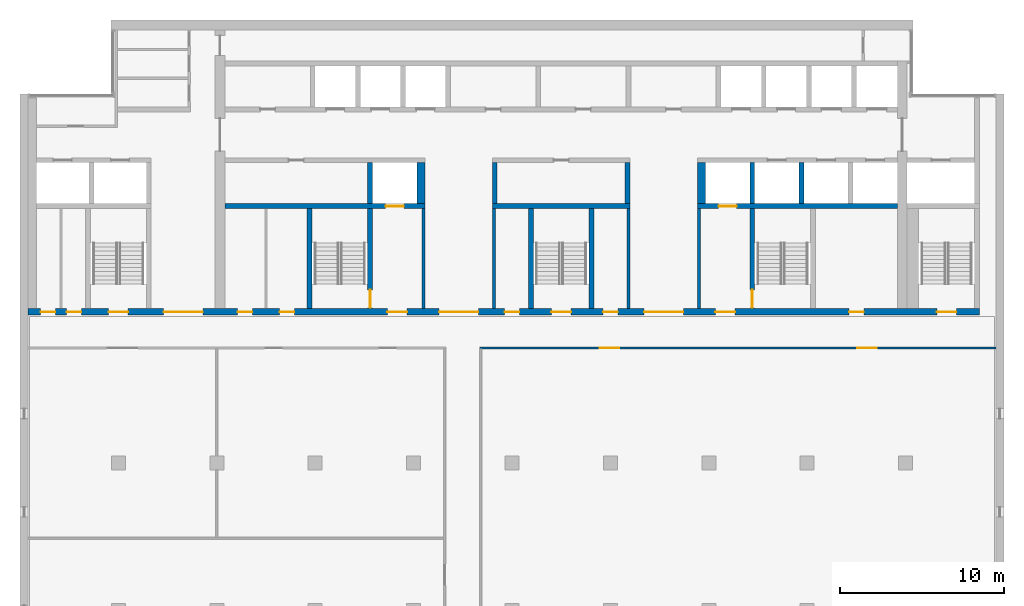
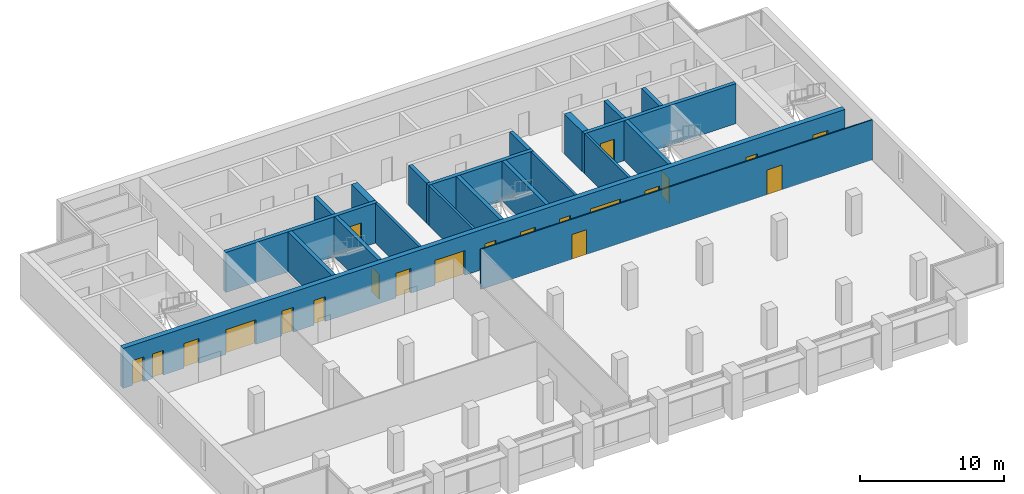
# One storey, part 8 of 14: 21 doors, 21 walls, 21 openings.
"""IFC4 building model written with IfcOpenShell, lengths in metres."""

import ifcopenshell
import ifcopenshell.guid

model = None  # the IFC model being written
_history = None  # IfcOwnerHistory: only IFC2X3 demands one
_inside = {}  # id of a spatial element -> (the spatial element, [elements in it])
_under = {}  # id of a project, library or spatial element -> (it, [spatial elements below it])
_declared = {}  # id of a project -> (the project, [libraries it declares])
_typed = {}  # id of a type object -> (the type object, [elements of that type])
_made_of = {}  # id of a material, layer set ... -> (it, [elements and type objects made of it])


def new_model(schema):
    """Start an empty IFC model of exactly this schema.

    Asked for "IFC4X3", IfcOpenShell would pick the latest addendum, in which some entities
    have other attributes; the version numbers below select the first issue.
    IFC2X3 requires an IfcOwnerHistory on every rooted entity: one is made here for all.
    """
    global model, _history
    if schema == "IFC4X3":
        model = ifcopenshell.file(schema_version=(4, 3, 0, 0))
    else:
        model = ifcopenshell.file(schema=schema)
    _inside.clear()
    _under.clear()
    _declared.clear()
    _typed.clear()
    _made_of.clear()
    _history = None
    if model.schema == "IFC2X3":
        org = make("IfcOrganization", Name="unknown")
        user = make(
            "IfcPersonAndOrganization",
            ThePerson=make("IfcPerson", FamilyName="unknown"),
            TheOrganization=org,
        )
        app = make(
            "IfcApplication",
            ApplicationDeveloper=org,
            Version="unknown",
            ApplicationFullName="unknown",
            ApplicationIdentifier="unknown",
        )
        _history = make(
            "IfcOwnerHistory",
            OwningUser=user,
            OwningApplication=app,
            ChangeAction="ADDED",
            CreationDate=0,
        )
    return model


def make(cls, **values):
    """One entity of the class cls with the attributes given. An attribute that is None is left unset."""
    return model.create_entity(
        cls, **{name: value for name, value in values.items() if value is not None}
    )


def rooted(cls, **values):
    """An entity with a GlobalId (a new one), such as an element, a storey or a relation."""
    return make(cls, GlobalId=ifcopenshell.guid.new(), OwnerHistory=_history, **values)


def si_unit(unit_type, name, prefix=None):
    """IfcSIUnit, for example si_unit("LENGTHUNIT", "METRE", prefix="MILLI")."""
    return make("IfcSIUnit", UnitType=unit_type, Prefix=prefix, Name=name)


def assignment(units):
    """IfcUnitAssignment: the units of a project."""
    return None if units is None else make("IfcUnitAssignment", Units=units)


def point(xyz):
    """IfcCartesianPoint."""
    return None if xyz is None else make("IfcCartesianPoint", Coordinates=xyz)


def direction(xyz):
    """IfcDirection."""
    return None if xyz is None else make("IfcDirection", DirectionRatios=xyz)


def frame(location, z_axis=None, x_axis=None):
    """IfcAxis2Placement3D, a coordinate frame: its origin and axes. An axis left out is left unset."""
    return make(
        "IfcAxis2Placement3D",
        Location=point(location),
        Axis=direction(z_axis),
        RefDirection=direction(x_axis),
    )


def frame_2d(location, x_axis=None):
    """IfcAxis2Placement2D, a coordinate frame in the plane: its origin and x axis."""
    return make(
        "IfcAxis2Placement2D", Location=point(location), RefDirection=direction(x_axis)
    )


def origin():
    """The frame at (0, 0, 0) with its axes left unset."""
    return frame((0.0, 0.0, 0.0))


def place(relative_to, where):
    """IfcLocalPlacement: puts the frame where relative to a parent placement (None: the world)."""
    return make(
        "IfcLocalPlacement", PlacementRelTo=relative_to, RelativePlacement=where
    )


def context(
    kind, dimensions, precision=None, world=None, true_north=None, identifier=None
):
    """IfcGeometricRepresentationContext, for example the 3D "Model" context."""
    return make(
        "IfcGeometricRepresentationContext",
        ContextIdentifier=identifier,
        ContextType=kind,
        CoordinateSpaceDimension=dimensions,
        Precision=precision,
        WorldCoordinateSystem=world,
        TrueNorth=true_north,
    )


def subcontext(parent, identifier, kind, view, scale=None):
    """IfcGeometricRepresentationSubContext, for example "Body" below "Model"."""
    return make(
        "IfcGeometricRepresentationSubContext",
        ContextIdentifier=identifier,
        ContextType=kind,
        ParentContext=parent,
        TargetScale=scale,
        TargetView=view,
    )


def project(units=None, contexts=None):
    """IfcProject with its units and contexts."""
    return rooted(
        "IfcProject",
        Name="project",
        RepresentationContexts=contexts,
        UnitsInContext=assignment(units),
    )


def spatial(cls, under=None, at=None, **own):
    """A site, building, storey or space (cls), placed at a placement, below another one or the project."""
    s = rooted(cls, ObjectPlacement=at, **own)
    if under is not None:
        _under.setdefault(under.id(), (under, []))[1].append(s)
    return s


def profile(cls, at=None, kind="AREA", **sizes):
    """A parametric profile (cls). Its sizes go by their IFC names, for example OverallWidth=200.0."""
    return make(cls, ProfileType=kind, Position=at, **sizes)


def rectangle(**sizes):
    """IfcRectangleProfileDef."""
    return profile("IfcRectangleProfileDef", **sizes)


def extrude(swept, where, along, depth):
    """IfcExtrudedAreaSolid: the profile swept, set in the frame where, extruded along a direction by depth."""
    return make(
        "IfcExtrudedAreaSolid",
        SweptArea=swept,
        Position=where,
        ExtrudedDirection=direction(along),
        Depth=depth,
    )


def shape(context_of_items, identifier, shape_type, items):
    """IfcShapeRepresentation: the items that make up one representation, for example the "Body"."""
    return make(
        "IfcShapeRepresentation",
        ContextOfItems=context_of_items,
        RepresentationIdentifier=identifier,
        RepresentationType=shape_type,
        Items=items,
    )


def material(Name=None, Category=None):
    """IfcMaterial."""
    return make("IfcMaterial", Name=Name, Category=Category)


def layer(
    of_material, thickness, ventilated=None, Name=None, Category=None, Priority=None
):
    """IfcMaterialLayer: one layer of a wall or slab, of a material (None: an air gap)."""
    return make(
        "IfcMaterialLayer",
        Material=of_material,
        LayerThickness=thickness,
        IsVentilated=ventilated,
        Name=Name,
        Category=Category,
        Priority=Priority,
    )


def layer_set(layers, Name=None):
    """IfcMaterialLayerSet."""
    return make("IfcMaterialLayerSet", MaterialLayers=layers, LayerSetName=Name)


def made_of(thing, what):
    """Note that an element or type object is made of a material, layer set ...; save() writes the relation."""
    if what is not None:
        _made_of.setdefault(what.id(), (what, []))[1].append(thing)
    return thing


def type_object(cls, material=None, **own):
    """A type object (cls), such as IfcWallType, which elements share."""
    return made_of(rooted(cls, **own), material)


def element(
    cls,
    number,
    at=None,
    inside=None,
    cuts=None,
    type_object=None,
    material=None,
    context=None,
    identifier="Body",
    shape_type=None,
    held_by="IfcProductDefinitionShape",
    body=None,
    shapes=None,
    **own,
):
    """One element of the class cls, such as IfcWall. Its Tag is "e" and its number.

    at: its placement. inside: the storey or other place that contains it. cuts: it is an
    opening in that element (IfcRelVoidsElement). A single representation is given by context,
    identifier, shape_type and body (its items); several are given by shapes. held_by: the class
    of the entity that holds the representations. save() writes the other relations.
    """
    e = rooted(cls, Tag="e%d" % number, ObjectPlacement=at, **own)
    if body is not None:
        shapes = [shape(context, identifier, shape_type, body)]
    if shapes is not None:
        e.Representation = make(held_by, Representations=shapes)
    if inside is not None:
        _inside.setdefault(inside.id(), (inside, []))[1].append(e)
    if cuts is not None:
        rooted(
            "IfcRelVoidsElement", RelatingBuildingElement=cuts, RelatedOpeningElement=e
        )
    if type_object is not None:
        _typed.setdefault(type_object.id(), (type_object, []))[1].append(e)
    return made_of(e, material)


def fill(opening, filler):
    """IfcRelFillsElement: the door or window that sits in an opening."""
    return rooted(
        "IfcRelFillsElement",
        RelatingOpeningElement=opening,
        RelatedBuildingElement=filler,
    )


def aggregate(whole, parts):
    """IfcRelAggregates: a whole, such as a stair, and the parts it consists of."""
    return rooted("IfcRelAggregates", RelatingObject=whole, RelatedObjects=parts)


def save(model, path):
    """Write the relations noted so far, then the file.

    IfcRelAggregates (storeys below a building ...), IfcRelContainedInSpatialStructure (elements
    in a storey), IfcRelDefinesByType, IfcRelAssociatesMaterial and IfcRelDeclares: one each for
    every whole, place, type object, material and project.
    """
    for whole, parts in _under.values():
        aggregate(whole, parts)
    for where, things in _inside.values():
        rooted(
            "IfcRelContainedInSpatialStructure",
            RelatedElements=things,
            RelatingStructure=where,
        )
    for kind, things in _typed.values():
        rooted("IfcRelDefinesByType", RelatedObjects=things, RelatingType=kind)
    for what, things in _made_of.values():
        rooted("IfcRelAssociatesMaterial", RelatedObjects=things, RelatingMaterial=what)
    for by, libraries in _declared.values():
        rooted("IfcRelDeclares", RelatingContext=by, RelatedDefinitions=libraries)
    model.write(path)


model = new_model("IFC4")

# Units and contexts
model_context = context("Model", 3, precision=1e-05, world=origin(), true_north=direction((0.0, 1.0)))
body_context = subcontext(model_context, "Body", "Model", "MODEL_VIEW")
ifc_project = project(units=[si_unit("LENGTHUNIT", "METRE"), si_unit("AREAUNIT", "SQUARE_METRE"), si_unit("VOLUMEUNIT", "CUBIC_METRE"), si_unit("PLANEANGLEUNIT", "RADIAN"), si_unit("MASSUNIT", "GRAM", prefix="KILO")], contexts=[model_context])

# Site, building, storey
site_placement = place(None, origin())
site = spatial("IfcSite", under=ifc_project, at=site_placement, CompositionType="ELEMENT")
building_placement = place(site_placement, origin())
building = spatial("IfcBuilding", under=site, at=building_placement, Name="Calvaro Tower", CompositionType="ELEMENT")
storey_placement = place(building_placement, frame((0.0, 0.0, 250.75)))
storey = spatial("IfcBuildingStorey", under=building, at=storey_placement, Name="L63", CompositionType="ELEMENT", Elevation=250.75)

# Walls
ifc_material_1 = material(Name="Blockwork partition", Category="masonry")
ifc_layer_1 = layer(ifc_material_1, 0.199951171875)
ifc_layer_set_1 = layer_set([ifc_layer_1], Name="Blockwork partition")
wall_type_1 = type_object("IfcWallType", Name="Core partition 200 REI 120", PredefinedType="PARTITIONING", material=ifc_layer_set_1)
for number, where, z_axis, x_axis, name in (
    (1, (30.60009765625, 28.39990234375, 0.0), (0.0, 0.0, 1.0), (0.0, 1.0, 0.0), "Core partition"),
    (2, (34.89990234375, 28.39990234375, 0.0), (0.0, 0.0, 1.0), (0.0, 1.0, 0.0), "Core partition"),
    (3, (43.10009765625, 28.39990234375, 0.0), (0.0, 0.0, 1.0), (0.0, 1.0, 0.0), "Core partition"),
    (4, (47.39990234375, 28.39990234375, 0.0), (0.0, 0.0, 1.0), (0.0, 1.0, 0.0), "Core partition"),
):
    element("IfcWall", number, at=place(storey_placement, frame(where, z_axis=z_axis, x_axis=x_axis)), inside=storey, type_object=wall_type_1, Name=name, PredefinedType="PARTITIONING", context=body_context, shape_type="SweptSolid", body=[
        extrude(rectangle(XDim=6.10009765625, YDim=0.199951171875, at=frame_2d((3.050048828125, 0.0))), origin(), (0.0, 0.0, 1.0), 3.39990234375),
    ])
ifc_material_2 = material(Name="Concrete C40/50", Category="concrete")
ifc_layer_2 = layer(ifc_material_2, 0.300048828125)
ifc_layer_set_2 = layer_set([ifc_layer_2], Name="Concrete C40/50")
wall_type_2 = type_object("IfcWallType", Name="Core wall C40/50 300", PredefinedType="SHEAR", material=ifc_layer_set_2)
wall_1_placement = place(storey_placement, frame((23.64990234375, 28.39990234375, 0.0), z_axis=(0.0, 0.0, 1.0), x_axis=(0.0, 1.0, 0.0)))
element("IfcWall", 5, at=wall_1_placement, inside=storey, type_object=wall_type_2, Name="Core wall, stair enclosure", PredefinedType="SHEAR", context=body_context, shape_type="SweptSolid", body=[
    extrude(rectangle(XDim=6.10009765625, YDim=0.300048828125, at=frame_2d((3.050048828125, 0.0))), origin(), (0.0, 0.0, 1.0), 3.39990234375),
])

# Wall, opening, door
wall_2_placement = place(storey_placement, frame((27.35009765625, 28.39990234375, 0.0), z_axis=(0.0, 0.0, 1.0), x_axis=(0.0, 1.0, 0.0)))
wall_2 = element("IfcWall", 6, at=wall_2_placement, inside=storey, type_object=wall_type_2, Name="Core wall, stair enclosure", PredefinedType="SHEAR", context=body_context, shape_type="SweptSolid", body=[
    extrude(rectangle(XDim=6.10009765625, YDim=0.300048828125, at=frame_2d((3.050048828125, 0.0))), origin(), (0.0, 0.0, 1.0), 3.39990234375),
])
opening_1_placement = place(wall_2_placement, frame((0.050048828125, 0.0, 0.0)))
opening_1 = element("IfcOpeningElement", 7, at=opening_1_placement, cuts=wall_2, Name="Opening FD11D", PredefinedType="OPENING", context=body_context, shape_type="SweptSolid", body=[
    extrude(rectangle(XDim=1.10009765625, YDim=2.10009765625, at=frame_2d((0.550048828125, 1.050048828125))), frame((0.0, 0.159912109375, 0.0), z_axis=(0.0, -1.0, 0.0), x_axis=(1.0, 0.0, 0.0)), (0.0, 0.0, 1.0), 0.320068359375),
])
ifc_material_3 = material(Name="Steel door set", Category="steel")
door_type_1 = type_object("IfcDoorType", Name="Fire door 1100 FD30S", OperationType="SINGLE_SWING_LEFT", PredefinedType="DOOR", material=ifc_material_3)
door_1_placement = place(opening_1_placement, origin())
door_1 = element("IfcDoor", 8, at=door_1_placement, inside=storey, type_object=door_type_1, Name="Fire door", OperationType="SINGLE_SWING_LEFT", OverallHeight=2.10009765625, OverallWidth=1.10009765625, PredefinedType="DOOR", context=body_context, shape_type="SweptSolid", body=[
    extrude(rectangle(XDim=1.10009765625, YDim=2.10009765625, at=frame_2d((0.550048828125, 1.050048828125))), frame((0.0, 0.02490234375, 0.0), z_axis=(0.0, -1.0, 0.0), x_axis=(1.0, 0.0, 0.0)), (0.0, 0.0, 1.0), 0.050048828125),
])
fill(opening_1, door_1)

# Walls
for number, where, z_axis, x_axis, name in (
    (9, (37.14990234375, 28.39990234375, 0.0), (0.0, 0.0, 1.0), (0.0, 1.0, 0.0), "Core wall, stair enclosure"),
    (10, (40.85009765625, 28.39990234375, 0.0), (0.0, 0.0, 1.0), (0.0, 1.0, 0.0), "Core wall, stair enclosure"),
):
    element("IfcWall", number, at=place(storey_placement, frame(where, z_axis=z_axis, x_axis=x_axis)), inside=storey, type_object=wall_type_2, Name=name, PredefinedType="SHEAR", context=body_context, shape_type="SweptSolid", body=[
        extrude(rectangle(XDim=6.10009765625, YDim=0.300048828125, at=frame_2d((3.050048828125, 0.0))), origin(), (0.0, 0.0, 1.0), 3.39990234375),
    ])

# Wall, opening, door
wall_3_placement = place(storey_placement, frame((50.64990234375, 34.5, 0.0), z_axis=(0.0, 0.0, 1.0), x_axis=(0.0, -1.0, 0.0)))
wall_3 = element("IfcWall", 11, at=wall_3_placement, inside=storey, type_object=wall_type_2, Name="Core wall, stair enclosure", PredefinedType="SHEAR", context=body_context, shape_type="SweptSolid", body=[
    extrude(rectangle(XDim=6.10009765625, YDim=0.300048828125, at=frame_2d((3.050048828125, 0.0))), origin(), (0.0, 0.0, 1.0), 3.39990234375),
])
opening_2_placement = place(wall_3_placement, frame((4.949951171875, 0.0, 0.0)))
opening_2 = element("IfcOpeningElement", 12, at=opening_2_placement, cuts=wall_3, Name="Opening FD11D", PredefinedType="OPENING", context=body_context, shape_type="SweptSolid", body=[
    extrude(rectangle(XDim=1.10009765625, YDim=2.10009765625, at=frame_2d((0.550048828125, 1.050048828125))), frame((0.0, 0.159912109375, 0.0), z_axis=(0.0, -1.0, 0.0), x_axis=(1.0, 0.0, 0.0)), (0.0, 0.0, 1.0), 0.320068359375),
])
door_2_placement = place(opening_2_placement, origin())
door_2 = element("IfcDoor", 13, at=door_2_placement, inside=storey, type_object=door_type_1, Name="Fire door", OperationType="SINGLE_SWING_RIGHT", OverallHeight=2.10009765625, OverallWidth=1.10009765625, PredefinedType="DOOR", context=body_context, shape_type="SweptSolid", body=[
    extrude(rectangle(XDim=1.10009765625, YDim=2.10009765625, at=frame_2d((0.550048828125, 1.050048828125))), frame((0.0, 0.02490234375, 0.0), z_axis=(0.0, -1.0, 0.0), x_axis=(1.0, 0.0, 0.0)), (0.0, 0.0, 1.0), 0.050048828125),
])
fill(opening_2, door_2)

wall_4_placement = place(storey_placement, frame((18.5, 34.64990234375, 0.0), z_axis=(0.0, 0.0, 1.0), x_axis=(1.0, 0.0, 0.0)))
wall_4 = element("IfcWall", 14, at=wall_4_placement, inside=storey, type_object=wall_type_2, Name="Core wall, lift shaft", PredefinedType="SHEAR", context=body_context, shape_type="SweptSolid", body=[
    extrude(rectangle(XDim=12.199951171875, YDim=0.300048828125, at=frame_2d((6.10009765625, 0.0))), origin(), (0.0, 0.0, 1.0), 3.39990234375),
])
opening_3_placement = place(wall_4_placement, frame((9.800048828125, 0.0, 0.0)))
opening_3 = element("IfcOpeningElement", 15, at=opening_3_placement, cuts=wall_4, Name="Opening FF1", PredefinedType="OPENING", context=body_context, shape_type="SweptSolid", body=[
    extrude(rectangle(XDim=1.10009765625, YDim=2.10009765625, at=frame_2d((0.550048828125, 1.050048828125))), frame((0.0, 0.159912109375, 0.0), z_axis=(0.0, -1.0, 0.0), x_axis=(1.0, 0.0, 0.0)), (0.0, 0.0, 1.0), 0.320068359375),
])
ifc_material_4 = material(Name="Stainless steel", Category="steel")
door_type_2 = type_object("IfcDoorType", Name="Landing door 1100 E 60", OperationType="SLIDING_TO_LEFT", PredefinedType="DOOR", material=ifc_material_4)
door_3_placement = place(opening_3_placement, origin())
door_3 = element("IfcDoor", 16, at=door_3_placement, inside=storey, type_object=door_type_2, Name="Landing door FF1", OperationType="SLIDING_TO_LEFT", OverallHeight=2.10009765625, OverallWidth=1.10009765625, PredefinedType="DOOR", context=body_context, shape_type="SweptSolid", body=[
    extrude(rectangle(XDim=1.10009765625, YDim=2.10009765625, at=frame_2d((0.550048828125, 1.050048828125))), frame((0.0, 0.02490234375, 0.0), z_axis=(0.0, -1.0, 0.0), x_axis=(1.0, 0.0, 0.0)), (0.0, 0.0, 1.0), 0.050048828125),
])
fill(opening_3, door_3)

# Wall
wall_5_placement = place(storey_placement, frame((34.800048828125, 34.64990234375, 0.0), z_axis=(0.0, 0.0, 1.0), x_axis=(1.0, 0.0, 0.0)))
element("IfcWall", 17, at=wall_5_placement, inside=storey, type_object=wall_type_2, Name="Core wall, lift shaft", PredefinedType="SHEAR", context=body_context, shape_type="SweptSolid", body=[
    extrude(rectangle(XDim=8.39990234375, YDim=0.300048828125, at=frame_2d((4.199951171875, 0.0))), origin(), (0.0, 0.0, 1.0), 3.39990234375),
])

# Wall, opening, door
wall_6_placement = place(storey_placement, frame((47.300048828125, 34.64990234375, 0.0), z_axis=(0.0, 0.0, 1.0), x_axis=(1.0, 0.0, 0.0)))
wall_6 = element("IfcWall", 18, at=wall_6_placement, inside=storey, type_object=wall_type_2, Name="Core wall, lift shaft", PredefinedType="SHEAR", context=body_context, shape_type="SweptSolid", body=[
    extrude(rectangle(XDim=12.199951171875, YDim=0.300048828125, at=frame_2d((6.10009765625, 0.0))), origin(), (0.0, 0.0, 1.0), 3.39990234375),
])
opening_4_placement = place(wall_6_placement, frame((1.300048828125, 0.0, 0.0)))
opening_4 = element("IfcOpeningElement", 19, at=opening_4_placement, cuts=wall_6, Name="Opening FF2", PredefinedType="OPENING", context=body_context, shape_type="SweptSolid", body=[
    extrude(rectangle(XDim=1.10009765625, YDim=2.10009765625, at=frame_2d((0.550048828125, 1.050048828125))), frame((0.0, 0.159912109375, 0.0), z_axis=(0.0, -1.0, 0.0), x_axis=(1.0, 0.0, 0.0)), (0.0, 0.0, 1.0), 0.320068359375),
])
door_4_placement = place(opening_4_placement, origin())
door_4 = element("IfcDoor", 20, at=door_4_placement, inside=storey, type_object=door_type_2, Name="Landing door FF2", OperationType="SLIDING_TO_LEFT", OverallHeight=2.10009765625, OverallWidth=1.10009765625, PredefinedType="DOOR", context=body_context, shape_type="SweptSolid", body=[
    extrude(rectangle(XDim=1.10009765625, YDim=2.10009765625, at=frame_2d((0.550048828125, 1.050048828125))), frame((0.0, 0.02490234375, 0.0), z_axis=(0.0, -1.0, 0.0), x_axis=(1.0, 0.0, 0.0)), (0.0, 0.0, 1.0), 0.050048828125),
])
fill(opening_4, door_4)

# Walls
for number, where, z_axis, x_axis, name in (
    (21, (27.35009765625, 34.800048828125, 0.0), (0.0, 0.0, 1.0), (0.0, 1.0, 0.0), "Core wall, lift shaft"),
    (22, (34.949951171875, 34.800048828125, 0.0), (0.0, 0.0, 1.0), (0.0, 1.0, 0.0), "Core wall, lift shaft"),
    (23, (43.050048828125, 34.800048828125, 0.0), (0.0, 0.0, 1.0), (0.0, 1.0, 0.0), "Core wall, lift shaft"),
    (24, (50.64990234375, 34.800048828125, 0.0), (0.0, 0.0, 1.0), (0.0, 1.0, 0.0), "Core wall, lift shaft"),
    (25, (53.64990234375, 34.800048828125, 0.0), (0.0, 0.0, 1.0), (0.0, 1.0, 0.0), "Core wall, lift shaft"),
):
    element("IfcWall", number, at=place(storey_placement, frame(where, z_axis=z_axis, x_axis=x_axis)), inside=storey, type_object=wall_type_2, Name=name, PredefinedType="SHEAR", context=body_context, shape_type="SweptSolid", body=[
        extrude(rectangle(XDim=2.5, YDim=0.300048828125, at=frame_2d((1.25, 0.0))), origin(), (0.0, 0.0, 1.0), 3.39990234375),
    ])

# Wall, openings, doors
ifc_material_5 = material(Name="Concrete C40/50", Category="concrete")
ifc_layer_3 = layer(ifc_material_5, 0.39990234375)
ifc_layer_set_3 = layer_set([ifc_layer_3], Name="Concrete C40/50")
wall_type_3 = type_object("IfcWallType", Name="Core wall C40/50 400", PredefinedType="SHEAR", material=ifc_layer_set_3)
wall_7_placement = place(storey_placement, frame((6.5, 28.199951171875, 0.0), z_axis=(0.0, 0.0, 1.0), x_axis=(1.0, 0.0, 0.0)))
wall_7 = element("IfcWall", 26, at=wall_7_placement, inside=storey, type_object=wall_type_3, Name="Core wall, front", PredefinedType="SHEAR", context=body_context, shape_type="SweptSolid", body=[
    extrude(rectangle(XDim=58.0, YDim=0.39990234375, at=frame_2d((29.0, 0.0))), origin(), (0.0, 0.0, 1.0), 3.39990234375),
])
opening_5_placement = place(wall_7_placement, frame((12.762451171875, 0.0, 0.0)))
opening_5 = element("IfcOpeningElement", 27, at=opening_5_placement, cuts=wall_7, Name="Opening RD9E", PredefinedType="OPENING", context=body_context, shape_type="SweptSolid", body=[
    extrude(rectangle(XDim=0.89990234375, YDim=2.10009765625, at=frame_2d((0.449951171875, 1.050048828125))), frame((0.0, 0.2099609375, 0.0), z_axis=(0.0, -1.0, 0.0), x_axis=(1.0, 0.0, 0.0)), (0.0, 0.0, 1.0), 0.419921875),
])
opening_6_placement = place(wall_7_placement, frame((15.33740234375, 0.0, 0.0)))
opening_6 = element("IfcOpeningElement", 28, at=opening_6_placement, cuts=wall_7, Name="Opening RD9C", PredefinedType="OPENING", context=body_context, shape_type="SweptSolid", body=[
    extrude(rectangle(XDim=0.89990234375, YDim=2.10009765625, at=frame_2d((0.449951171875, 1.050048828125))), frame((0.0, 0.2099609375, 0.0), z_axis=(0.0, -1.0, 0.0), x_axis=(1.0, 0.0, 0.0)), (0.0, 0.0, 1.0), 0.419921875),
])
opening_7_placement = place(wall_7_placement, frame((50.050048828125, 0.0, 0.0)))
opening_7 = element("IfcOpeningElement", 29, at=opening_7_placement, cuts=wall_7, Name="Opening RD9E", PredefinedType="OPENING", context=body_context, shape_type="SweptSolid", body=[
    extrude(rectangle(XDim=0.89990234375, YDim=2.10009765625, at=frame_2d((0.449951171875, 1.050048828125))), frame((0.0, 0.2099609375, 0.0), z_axis=(0.0, -1.0, 0.0), x_axis=(1.0, 0.0, 0.0)), (0.0, 0.0, 1.0), 0.419921875),
])
opening_8_placement = place(wall_7_placement, frame((0.762451171875, 0.0, 0.0)))
opening_8 = element("IfcOpeningElement", 30, at=opening_8_placement, cuts=wall_7, Name="Opening RD9C", PredefinedType="OPENING", context=body_context, shape_type="SweptSolid", body=[
    extrude(rectangle(XDim=0.89990234375, YDim=2.10009765625, at=frame_2d((0.449951171875, 1.050048828125))), frame((0.0, 0.2099609375, 0.0), z_axis=(0.0, -1.0, 0.0), x_axis=(1.0, 0.0, 0.0)), (0.0, 0.0, 1.0), 0.419921875),
])
opening_9_placement = place(wall_7_placement, frame((2.33740234375, 0.0, 0.0)))
opening_9 = element("IfcOpeningElement", 31, at=opening_9_placement, cuts=wall_7, Name="Opening RD9E", PredefinedType="OPENING", context=body_context, shape_type="SweptSolid", body=[
    extrude(rectangle(XDim=0.89990234375, YDim=2.10009765625, at=frame_2d((0.449951171875, 1.050048828125))), frame((0.0, 0.2099609375, 0.0), z_axis=(0.0, -1.0, 0.0), x_axis=(1.0, 0.0, 0.0)), (0.0, 0.0, 1.0), 0.419921875),
])
opening_10_placement = place(wall_7_placement, frame((4.89990234375, 0.0, 0.0)))
opening_10 = element("IfcOpeningElement", 32, at=opening_10_placement, cuts=wall_7, Name="Opening SD12D", PredefinedType="OPENING", context=body_context, shape_type="SweptSolid", body=[
    extrude(rectangle(XDim=1.199951171875, YDim=2.10009765625, at=frame_2d((0.60009765625, 1.050048828125))), frame((0.0, 0.2099609375, 0.0), z_axis=(0.0, -1.0, 0.0), x_axis=(1.0, 0.0, 0.0)), (0.0, 0.0, 1.0), 0.419921875),
])
opening_11_placement = place(wall_7_placement, frame((31.89990234375, 0.0, 0.0)))
opening_11 = element("IfcOpeningElement", 33, at=opening_11_placement, cuts=wall_7, Name="Opening SD12D", PredefinedType="OPENING", context=body_context, shape_type="SweptSolid", body=[
    extrude(rectangle(XDim=1.199951171875, YDim=2.10009765625, at=frame_2d((0.60009765625, 1.050048828125))), frame((0.0, 0.2099609375, 0.0), z_axis=(0.0, -1.0, 0.0), x_axis=(1.0, 0.0, 0.0)), (0.0, 0.0, 1.0), 0.419921875),
])
opening_12_placement = place(wall_7_placement, frame((55.39990234375, 0.0, 0.0)))
opening_12 = element("IfcOpeningElement", 34, at=opening_12_placement, cuts=wall_7, Name="Opening SD12D", PredefinedType="OPENING", context=body_context, shape_type="SweptSolid", body=[
    extrude(rectangle(XDim=1.199951171875, YDim=2.10009765625, at=frame_2d((0.60009765625, 1.050048828125))), frame((0.0, 0.2099609375, 0.0), z_axis=(0.0, -1.0, 0.0), x_axis=(1.0, 0.0, 0.0)), (0.0, 0.0, 1.0), 0.419921875),
])
opening_13_placement = place(wall_7_placement, frame((21.89990234375, 0.0, 0.0)))
opening_13 = element("IfcOpeningElement", 35, at=opening_13_placement, cuts=wall_7, Name="Opening FD12F", PredefinedType="OPENING", context=body_context, shape_type="SweptSolid", body=[
    extrude(rectangle(XDim=1.199951171875, YDim=2.10009765625, at=frame_2d((0.60009765625, 1.050048828125))), frame((0.0, 0.2099609375, 0.0), z_axis=(0.0, -1.0, 0.0), x_axis=(1.0, 0.0, 0.0)), (0.0, 0.0, 1.0), 0.419921875),
])
opening_14_placement = place(wall_7_placement, frame((41.89990234375, 0.0, 0.0)))
opening_14 = element("IfcOpeningElement", 36, at=opening_14_placement, cuts=wall_7, Name="Opening FD12F", PredefinedType="OPENING", context=body_context, shape_type="SweptSolid", body=[
    extrude(rectangle(XDim=1.199951171875, YDim=2.10009765625, at=frame_2d((0.60009765625, 1.050048828125))), frame((0.0, 0.2099609375, 0.0), z_axis=(0.0, -1.0, 0.0), x_axis=(1.0, 0.0, 0.0)), (0.0, 0.0, 1.0), 0.419921875),
])
opening_15_placement = place(wall_7_placement, frame((25.050048828125, 0.0, 0.0)))
opening_15 = element("IfcOpeningElement", 37, at=opening_15_placement, cuts=wall_7, Name="Opening DD24D", PredefinedType="OPENING", context=body_context, shape_type="SweptSolid", body=[
    extrude(rectangle(XDim=2.39990234375, YDim=2.10009765625, at=frame_2d((1.199951171875, 1.050048828125))), frame((0.0, 0.2099609375, 0.0), z_axis=(0.0, -1.0, 0.0), x_axis=(1.0, 0.0, 0.0)), (0.0, 0.0, 1.0), 0.419921875),
])
opening_16_placement = place(wall_7_placement, frame((37.550048828125, 0.0, 0.0)))
opening_16 = element("IfcOpeningElement", 38, at=opening_16_placement, cuts=wall_7, Name="Opening DD24D", PredefinedType="OPENING", context=body_context, shape_type="SweptSolid", body=[
    extrude(rectangle(XDim=2.39990234375, YDim=2.10009765625, at=frame_2d((1.199951171875, 1.050048828125))), frame((0.0, 0.2099609375, 0.0), z_axis=(0.0, -1.0, 0.0), x_axis=(1.0, 0.0, 0.0)), (0.0, 0.0, 1.0), 0.419921875),
])
opening_17_placement = place(wall_7_placement, frame((8.25, 0.0, 0.0)))
opening_17 = element("IfcOpeningElement", 39, at=opening_17_placement, cuts=wall_7, Name="Opening DD24D", PredefinedType="OPENING", context=body_context, shape_type="SweptSolid", body=[
    extrude(rectangle(XDim=2.39990234375, YDim=2.10009765625, at=frame_2d((1.199951171875, 1.050048828125))), frame((0.0, 0.2099609375, 0.0), z_axis=(0.0, -1.0, 0.0), x_axis=(1.0, 0.0, 0.0)), (0.0, 0.0, 1.0), 0.419921875),
])
opening_18_placement = place(wall_7_placement, frame((29.050048828125, 0.0, 0.0)))
opening_18 = element("IfcOpeningElement", 40, at=opening_18_placement, cuts=wall_7, Name="Opening RD9E", PredefinedType="OPENING", context=body_context, shape_type="SweptSolid", body=[
    extrude(rectangle(XDim=0.89990234375, YDim=2.10009765625, at=frame_2d((0.449951171875, 1.050048828125))), frame((0.0, 0.2099609375, 0.0), z_axis=(0.0, -1.0, 0.0), x_axis=(1.0, 0.0, 0.0)), (0.0, 0.0, 1.0), 0.419921875),
])
opening_19_placement = place(wall_7_placement, frame((35.050048828125, 0.0, 0.0)))
opening_19 = element("IfcOpeningElement", 41, at=opening_19_placement, cuts=wall_7, Name="Opening RD9E", PredefinedType="OPENING", context=body_context, shape_type="SweptSolid", body=[
    extrude(rectangle(XDim=0.89990234375, YDim=2.10009765625, at=frame_2d((0.449951171875, 1.050048828125))), frame((0.0, 0.2099609375, 0.0), z_axis=(0.0, -1.0, 0.0), x_axis=(1.0, 0.0, 0.0)), (0.0, 0.0, 1.0), 0.419921875),
])
ifc_material_6 = material(Name="Steel door set", Category="steel")
door_type_3 = type_object("IfcDoorType", Name="Fire door 1200 FD60S", OperationType="SINGLE_SWING_LEFT", PredefinedType="DOOR", material=ifc_material_6)
door_5_placement = place(opening_13_placement, origin())
door_5 = element("IfcDoor", 42, at=door_5_placement, inside=storey, type_object=door_type_3, Name="Fire door", OperationType="SINGLE_SWING_LEFT", OverallHeight=2.10009765625, OverallWidth=1.199951171875, PredefinedType="DOOR", context=body_context, shape_type="SweptSolid", body=[
    extrude(rectangle(XDim=1.199951171875, YDim=2.10009765625, at=frame_2d((0.60009765625, 1.050048828125))), frame((0.0, 0.02490234375, 0.0), z_axis=(0.0, -1.0, 0.0), x_axis=(1.0, 0.0, 0.0)), (0.0, 0.0, 1.0), 0.050048828125),
])
fill(opening_13, door_5)
door_6_placement = place(opening_14_placement, origin())
door_6 = element("IfcDoor", 43, at=door_6_placement, inside=storey, type_object=door_type_3, Name="Fire door", OperationType="SINGLE_SWING_LEFT", OverallHeight=2.10009765625, OverallWidth=1.199951171875, PredefinedType="DOOR", context=body_context, shape_type="SweptSolid", body=[
    extrude(rectangle(XDim=1.199951171875, YDim=2.10009765625, at=frame_2d((0.60009765625, 1.050048828125))), frame((0.0, 0.02490234375, 0.0), z_axis=(0.0, -1.0, 0.0), x_axis=(1.0, 0.0, 0.0)), (0.0, 0.0, 1.0), 0.050048828125),
])
fill(opening_14, door_6)
ifc_material_7 = material(Name="Steel door set", Category="steel")
door_type_4 = type_object("IfcDoorType", Name="Lobby double door 2400 FD30S", OperationType="DOUBLE_DOOR_SINGLE_SWING", PredefinedType="DOOR", material=ifc_material_7)
door_7_placement = place(opening_15_placement, origin())
door_7 = element("IfcDoor", 44, at=door_7_placement, inside=storey, type_object=door_type_4, Name="Lobby double door", OperationType="DOUBLE_DOOR_SINGLE_SWING", OverallHeight=2.10009765625, OverallWidth=2.39990234375, PredefinedType="DOOR", context=body_context, shape_type="SweptSolid", body=[
    extrude(rectangle(XDim=2.39990234375, YDim=2.10009765625, at=frame_2d((1.199951171875, 1.050048828125))), frame((0.0, 0.02490234375, 0.0), z_axis=(0.0, -1.0, 0.0), x_axis=(1.0, 0.0, 0.0)), (0.0, 0.0, 1.0), 0.050048828125),
])
fill(opening_15, door_7)
door_8_placement = place(opening_16_placement, origin())
door_8 = element("IfcDoor", 45, at=door_8_placement, inside=storey, type_object=door_type_4, Name="Lobby double door", OperationType="DOUBLE_DOOR_SINGLE_SWING", OverallHeight=2.10009765625, OverallWidth=2.39990234375, PredefinedType="DOOR", context=body_context, shape_type="SweptSolid", body=[
    extrude(rectangle(XDim=2.39990234375, YDim=2.10009765625, at=frame_2d((1.199951171875, 1.050048828125))), frame((0.0, 0.02490234375, 0.0), z_axis=(0.0, -1.0, 0.0), x_axis=(1.0, 0.0, 0.0)), (0.0, 0.0, 1.0), 0.050048828125),
])
fill(opening_16, door_8)
door_9_placement = place(opening_17_placement, origin())
door_9 = element("IfcDoor", 46, at=door_9_placement, inside=storey, type_object=door_type_4, Name="Lobby double door", OperationType="DOUBLE_DOOR_SINGLE_SWING", OverallHeight=2.10009765625, OverallWidth=2.39990234375, PredefinedType="DOOR", context=body_context, shape_type="SweptSolid", body=[
    extrude(rectangle(XDim=2.39990234375, YDim=2.10009765625, at=frame_2d((1.199951171875, 1.050048828125))), frame((0.0, 0.02490234375, 0.0), z_axis=(0.0, -1.0, 0.0), x_axis=(1.0, 0.0, 0.0)), (0.0, 0.0, 1.0), 0.050048828125),
])
fill(opening_17, door_9)
ifc_material_8 = material(Name="Steel door set", Category="steel")
door_type_5 = type_object("IfcDoorType", Name="Room door 900 FD30", OperationType="SINGLE_SWING_LEFT", PredefinedType="DOOR", material=ifc_material_8)
door_10_placement = place(opening_6_placement, origin())
door_10 = element("IfcDoor", 47, at=door_10_placement, inside=storey, type_object=door_type_5, Name="Room door", OperationType="SINGLE_SWING_RIGHT", OverallHeight=2.10009765625, OverallWidth=0.89990234375, PredefinedType="DOOR", context=body_context, shape_type="SweptSolid", body=[
    extrude(rectangle(XDim=0.89990234375, YDim=2.10009765625, at=frame_2d((0.449951171875, 1.050048828125))), frame((0.0, 0.02490234375, 0.0), z_axis=(0.0, -1.0, 0.0), x_axis=(1.0, 0.0, 0.0)), (0.0, 0.0, 1.0), 0.050048828125),
])
fill(opening_6, door_10)
door_11_placement = place(opening_8_placement, origin())
door_11 = element("IfcDoor", 48, at=door_11_placement, inside=storey, type_object=door_type_5, Name="Room door", OperationType="SINGLE_SWING_LEFT", OverallHeight=2.10009765625, OverallWidth=0.89990234375, PredefinedType="DOOR", context=body_context, shape_type="SweptSolid", body=[
    extrude(rectangle(XDim=0.89990234375, YDim=2.10009765625, at=frame_2d((0.449951171875, 1.050048828125))), frame((0.0, 0.02490234375, 0.0), z_axis=(0.0, -1.0, 0.0), x_axis=(1.0, 0.0, 0.0)), (0.0, 0.0, 1.0), 0.050048828125),
])
fill(opening_8, door_11)
ifc_material_9 = material(Name="Steel door set", Category="steel")
door_type_6 = type_object("IfcDoorType", Name="Room door 900 FD60", OperationType="SINGLE_SWING_LEFT", PredefinedType="DOOR", material=ifc_material_9)
door_12_placement = place(opening_5_placement, origin())
door_12 = element("IfcDoor", 49, at=door_12_placement, inside=storey, type_object=door_type_6, Name="Room door", OperationType="SINGLE_SWING_LEFT", OverallHeight=2.10009765625, OverallWidth=0.89990234375, PredefinedType="DOOR", context=body_context, shape_type="SweptSolid", body=[
    extrude(rectangle(XDim=0.89990234375, YDim=2.10009765625, at=frame_2d((0.449951171875, 1.050048828125))), frame((0.0, 0.02490234375, 0.0), z_axis=(0.0, -1.0, 0.0), x_axis=(1.0, 0.0, 0.0)), (0.0, 0.0, 1.0), 0.050048828125),
])
fill(opening_5, door_12)
door_13_placement = place(opening_7_placement, origin())
door_13 = element("IfcDoor", 50, at=door_13_placement, inside=storey, type_object=door_type_6, Name="Room door", OperationType="SINGLE_SWING_LEFT", OverallHeight=2.10009765625, OverallWidth=0.89990234375, PredefinedType="DOOR", context=body_context, shape_type="SweptSolid", body=[
    extrude(rectangle(XDim=0.89990234375, YDim=2.10009765625, at=frame_2d((0.449951171875, 1.050048828125))), frame((0.0, 0.02490234375, 0.0), z_axis=(0.0, -1.0, 0.0), x_axis=(1.0, 0.0, 0.0)), (0.0, 0.0, 1.0), 0.050048828125),
])
fill(opening_7, door_13)
door_14_placement = place(opening_9_placement, origin())
door_14 = element("IfcDoor", 51, at=door_14_placement, inside=storey, type_object=door_type_6, Name="Room door", OperationType="SINGLE_SWING_LEFT", OverallHeight=2.10009765625, OverallWidth=0.89990234375, PredefinedType="DOOR", context=body_context, shape_type="SweptSolid", body=[
    extrude(rectangle(XDim=0.89990234375, YDim=2.10009765625, at=frame_2d((0.449951171875, 1.050048828125))), frame((0.0, 0.02490234375, 0.0), z_axis=(0.0, -1.0, 0.0), x_axis=(1.0, 0.0, 0.0)), (0.0, 0.0, 1.0), 0.050048828125),
])
fill(opening_9, door_14)
door_15_placement = place(opening_18_placement, origin())
door_15 = element("IfcDoor", 52, at=door_15_placement, inside=storey, type_object=door_type_6, Name="Room door", OperationType="SINGLE_SWING_LEFT", OverallHeight=2.10009765625, OverallWidth=0.89990234375, PredefinedType="DOOR", context=body_context, shape_type="SweptSolid", body=[
    extrude(rectangle(XDim=0.89990234375, YDim=2.10009765625, at=frame_2d((0.449951171875, 1.050048828125))), frame((0.0, 0.02490234375, 0.0), z_axis=(0.0, -1.0, 0.0), x_axis=(1.0, 0.0, 0.0)), (0.0, 0.0, 1.0), 0.050048828125),
])
fill(opening_18, door_15)
door_16_placement = place(opening_19_placement, origin())
door_16 = element("IfcDoor", 53, at=door_16_placement, inside=storey, type_object=door_type_6, Name="Room door", OperationType="SINGLE_SWING_LEFT", OverallHeight=2.10009765625, OverallWidth=0.89990234375, PredefinedType="DOOR", context=body_context, shape_type="SweptSolid", body=[
    extrude(rectangle(XDim=0.89990234375, YDim=2.10009765625, at=frame_2d((0.449951171875, 1.050048828125))), frame((0.0, 0.02490234375, 0.0), z_axis=(0.0, -1.0, 0.0), x_axis=(1.0, 0.0, 0.0)), (0.0, 0.0, 1.0), 0.050048828125),
])
fill(opening_19, door_16)
ifc_material_10 = material(Name="Steel door set", Category="steel")
door_type_7 = type_object("IfcDoorType", Name="Stair door 1200 FD30S", OperationType="SINGLE_SWING_LEFT", PredefinedType="DOOR", material=ifc_material_10)
door_17_placement = place(opening_10_placement, origin())
door_17 = element("IfcDoor", 54, at=door_17_placement, inside=storey, type_object=door_type_7, Name="Stair door", OperationType="SINGLE_SWING_LEFT", OverallHeight=2.10009765625, OverallWidth=1.199951171875, PredefinedType="DOOR", context=body_context, shape_type="SweptSolid", body=[
    extrude(rectangle(XDim=1.199951171875, YDim=2.10009765625, at=frame_2d((0.60009765625, 1.050048828125))), frame((0.0, 0.02490234375, 0.0), z_axis=(0.0, -1.0, 0.0), x_axis=(1.0, 0.0, 0.0)), (0.0, 0.0, 1.0), 0.050048828125),
])
fill(opening_10, door_17)
door_18_placement = place(opening_11_placement, origin())
door_18 = element("IfcDoor", 55, at=door_18_placement, inside=storey, type_object=door_type_7, Name="Stair door", OperationType="SINGLE_SWING_LEFT", OverallHeight=2.10009765625, OverallWidth=1.199951171875, PredefinedType="DOOR", context=body_context, shape_type="SweptSolid", body=[
    extrude(rectangle(XDim=1.199951171875, YDim=2.10009765625, at=frame_2d((0.60009765625, 1.050048828125))), frame((0.0, 0.02490234375, 0.0), z_axis=(0.0, -1.0, 0.0), x_axis=(1.0, 0.0, 0.0)), (0.0, 0.0, 1.0), 0.050048828125),
])
fill(opening_11, door_18)
door_19_placement = place(opening_12_placement, origin())
door_19 = element("IfcDoor", 56, at=door_19_placement, inside=storey, type_object=door_type_7, Name="Stair door", OperationType="SINGLE_SWING_LEFT", OverallHeight=2.10009765625, OverallWidth=1.199951171875, PredefinedType="DOOR", context=body_context, shape_type="SweptSolid", body=[
    extrude(rectangle(XDim=1.199951171875, YDim=2.10009765625, at=frame_2d((0.60009765625, 1.050048828125))), frame((0.0, 0.02490234375, 0.0), z_axis=(0.0, -1.0, 0.0), x_axis=(1.0, 0.0, 0.0)), (0.0, 0.0, 1.0), 0.050048828125),
])
fill(opening_12, door_19)

# Walls
ifc_material_11 = material(Name="Concrete C40/50", Category="concrete")
ifc_layer_4 = layer(ifc_material_11, 0.5)
ifc_layer_set_4 = layer_set([ifc_layer_4], Name="Concrete C40/50")
wall_type_4 = type_object("IfcWallType", Name="Core wall C40/50 500", PredefinedType="SHEAR", material=ifc_layer_set_4)
for number, where, z_axis, x_axis, name in (
    (57, (30.449951171875, 34.800048828125, 0.0), (0.0, 0.0, 1.0), (0.0, 1.0, 0.0), "Core wall, lift shaft"),
    (58, (47.550048828125, 34.800048828125, 0.0), (0.0, 0.0, 1.0), (0.0, 1.0, 0.0), "Core wall, lift shaft"),
):
    element("IfcWall", number, at=place(storey_placement, frame(where, z_axis=z_axis, x_axis=x_axis)), inside=storey, type_object=wall_type_4, Name=name, PredefinedType="SHEAR", context=body_context, shape_type="SweptSolid", body=[
        extrude(rectangle(XDim=2.5, YDim=0.5, at=frame_2d((1.25, 0.0))), origin(), (0.0, 0.0, 1.0), 3.39990234375),
    ])

# Wall, openings, doors
ifc_material_12 = material(Name="Plasterboard on steel studs", Category="steel")
ifc_layer_5 = layer(ifc_material_12, 0.10009765625)
ifc_layer_set_5 = layer_set([ifc_layer_5], Name="Plasterboard on steel studs")
wall_type_5 = type_object("IfcWallType", Name="Partition 100", PredefinedType="PARTITIONING", material=ifc_layer_set_5)
wall_8_placement = place(storey_placement, frame((34.050048828125, 26.0, 0.0), z_axis=(0.0, 0.0, 1.0), x_axis=(1.0, 0.0, 0.0)))
wall_8 = element("IfcWall", 59, at=wall_8_placement, inside=storey, type_object=wall_type_5, Name="Partition T36.W003", PredefinedType="PARTITIONING", context=body_context, shape_type="SweptSolid", body=[
    extrude(rectangle(XDim=31.449951171875, YDim=0.10009765625, at=frame_2d((15.72509765625, 0.0))), origin(), (0.0, 0.0, 1.0), 3.39990234375),
])
opening_20_placement = place(wall_8_placement, frame((7.300048828125, 0.0, 0.0)))
opening_20 = element("IfcOpeningElement", 60, at=opening_20_placement, cuts=wall_8, Name="Opening T36.003", PredefinedType="OPENING", context=body_context, shape_type="SweptSolid", body=[
    extrude(rectangle(XDim=1.199951171875, YDim=2.10009765625, at=frame_2d((0.60009765625, 1.050048828125))), frame((0.0, 0.06005859375, 0.0), z_axis=(0.0, -1.0, 0.0), x_axis=(1.0, 0.0, 0.0)), (0.0, 0.0, 1.0), 0.1201171875),
])
opening_21_placement = place(wall_8_placement, frame((23.0, 0.0, 0.0)))
opening_21 = element("IfcOpeningElement", 61, at=opening_21_placement, cuts=wall_8, Name="Opening T36.004", PredefinedType="OPENING", context=body_context, shape_type="SweptSolid", body=[
    extrude(rectangle(XDim=1.199951171875, YDim=2.10009765625, at=frame_2d((0.60009765625, 1.050048828125))), frame((0.0, 0.06005859375, 0.0), z_axis=(0.0, -1.0, 0.0), x_axis=(1.0, 0.0, 0.0)), (0.0, 0.0, 1.0), 0.1201171875),
])
ifc_material_13 = material(Name="Timber", Category="wood")
door_type_8 = type_object("IfcDoorType", Name="Internal single door 1200 x 2100", OperationType="SINGLE_SWING_LEFT", PredefinedType="DOOR", material=ifc_material_13)
door_20_placement = place(opening_20_placement, origin())
door_20 = element("IfcDoor", 62, at=door_20_placement, inside=storey, type_object=door_type_8, Name="Door T36.003", OperationType="SINGLE_SWING_LEFT", OverallHeight=2.10009765625, OverallWidth=1.199951171875, PredefinedType="DOOR", context=body_context, shape_type="SweptSolid", body=[
    extrude(rectangle(XDim=1.199951171875, YDim=2.10009765625, at=frame_2d((0.60009765625, 1.050048828125))), frame((0.0, 0.02490234375, 0.0), z_axis=(0.0, -1.0, 0.0), x_axis=(1.0, 0.0, 0.0)), (0.0, 0.0, 1.0), 0.050048828125),
])
fill(opening_20, door_20)
door_21_placement = place(opening_21_placement, origin())
door_21 = element("IfcDoor", 63, at=door_21_placement, inside=storey, type_object=door_type_8, Name="Door T36.004", OperationType="SINGLE_SWING_RIGHT", OverallHeight=2.10009765625, OverallWidth=1.199951171875, PredefinedType="DOOR", context=body_context, shape_type="SweptSolid", body=[
    extrude(rectangle(XDim=1.199951171875, YDim=2.10009765625, at=frame_2d((0.60009765625, 1.050048828125))), frame((0.0, 0.02490234375, 0.0), z_axis=(0.0, -1.0, 0.0), x_axis=(1.0, 0.0, 0.0)), (0.0, 0.0, 1.0), 0.050048828125),
])
fill(opening_21, door_21)

save(model, "model.ifc")
